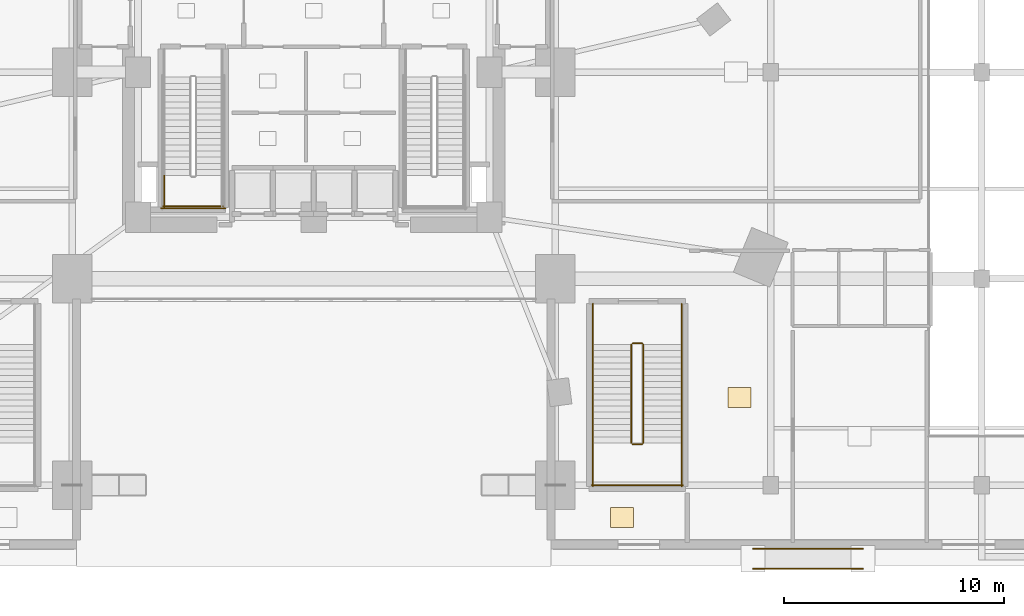
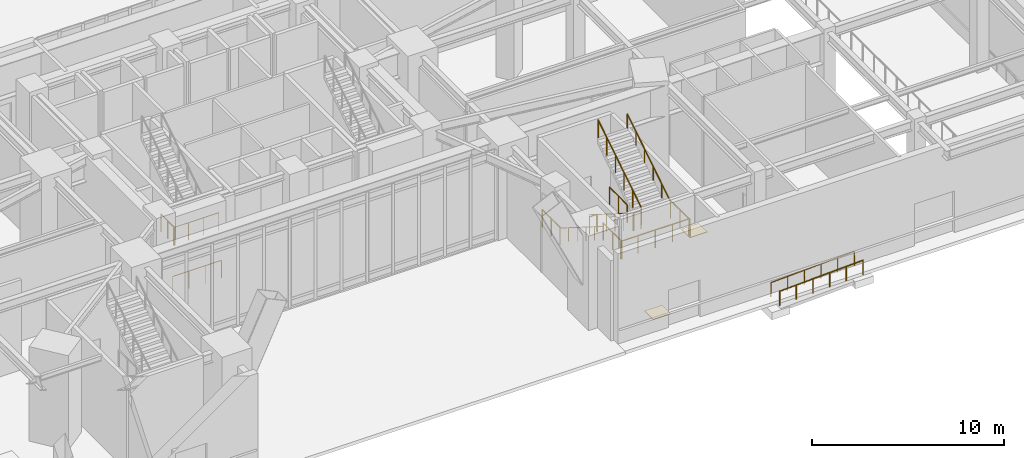
# One storey, part 24 of 27: 16 railings, 2 coverings.
"""IFC4 building model written with IfcOpenShell, lengths in metres."""

from ifc_helpers import new_model, si_unit, direction, frame, origin, origin_2d, place, context, subcontext, project, spatial, rectangle, circle, extrude, material, layer, layer_set, type_object, element, save


model = new_model("IFC4")

# Units and contexts
model_context = context("Model", 3, precision=1e-05, world=origin(), true_north=direction((0.0, 1.0)))
body_context = subcontext(model_context, "Body", "Model", "MODEL_VIEW")
ifc_project = project(units=[si_unit("LENGTHUNIT", "METRE"), si_unit("AREAUNIT", "SQUARE_METRE"), si_unit("VOLUMEUNIT", "CUBIC_METRE"), si_unit("PLANEANGLEUNIT", "RADIAN"), si_unit("MASSUNIT", "GRAM", prefix="KILO")], contexts=[model_context])

# Site, building, storey
site_placement = place(None, origin())
site = spatial("IfcSite", under=ifc_project, at=site_placement, CompositionType="ELEMENT")
building_placement = place(site_placement, origin())
building = spatial("IfcBuilding", under=site, at=building_placement, Name="Ndelora Gate Hotel", CompositionType="ELEMENT")
storey_placement = place(building_placement, origin())
storey = spatial("IfcBuildingStorey", under=building, at=storey_placement, Name="L00", CompositionType="ELEMENT", Elevation=0.0)

# Coverings
ifc_material_1 = material(Name="Engineered Highland Oak Parquet", Category="wood")
ifc_layer_1 = layer(ifc_material_1, 0.030029296875)
ifc_layer_set_1 = layer_set([ifc_layer_1], Name="Engineered Highland Oak Parquet")
covering_type = type_object("IfcCoveringType", Name="COV-FLR-PARQ", PredefinedType="FLOORING", material=ifc_layer_set_1)
for number, where, z_axis, x_axis, name in (
    (1, (19.375, -14.81005859375, 0.0), (0.0, 0.0, 1.0), (1.0, 0.0, 0.0), "L00 South-East Brasserie Salon Oak Parquet Flooring"),
    (2, (14.02490234375, -20.27490234375, 0.0), (0.0, 0.0, 1.0), (1.0, 0.0, 0.0), "L00 South-East Stair ST3B Exit Passage Oak Parquet Flooring"),
):
    element("IfcCovering", number, at=place(storey_placement, frame(where, z_axis=z_axis, x_axis=x_axis)), inside=storey, type_object=covering_type, Name=name, PredefinedType="FLOORING", context=body_context, shape_type="SweptSolid", body=[
        extrude(rectangle(XDim=1.050048828125, YDim=0.89990234375, at=origin_2d()), origin(), (0.0, 0.0, 1.0), 0.030029296875),
    ])

# Railings
ifc_material_2 = material(Name="Painted Galvanized Steel Balustrade", Category="steel")
ifc_layer_2 = layer(ifc_material_2, 0.06005859375)
ifc_layer_set_2 = layer_set([ifc_layer_2], Name="Painted Galvanized Steel Balustrade")
railing_type_1 = type_object("IfcRailingType", Name="RL-STAIR-GD", PredefinedType="GUARDRAIL", material=ifc_layer_set_2)
railing_1_placement = place(storey_placement, frame((-6.800048828125, -4.7099609375, 3.0)))
element("IfcRailing", 3, at=railing_1_placement, inside=storey, type_object=railing_type_1, Name="L00 ST4 stair guard 3", PredefinedType="GUARDRAIL", context=body_context, shape_type="SweptSolid", body=[
    extrude(circle(Radius=0.02392578125, at=origin_2d()), frame((0.0, 0.0, 1.10595703125), z_axis=(0.0, -1.0, 0.0), x_axis=(1.0, 0.0, 0.0)), (0.0, 0.0, 1.0), 1.43994140625),
    extrude(circle(Radius=0.02099609375, at=origin_2d()), origin(), (0.0, 0.0, 1.0), 1.081787109375),
    extrude(circle(Radius=0.02099609375, at=origin_2d()), frame((0.0, -0.719970703125, 0.0)), (0.0, 0.0, 1.0), 1.081787109375),
    extrude(circle(Radius=0.02099609375, at=origin_2d()), frame((0.0, -1.43994140625, 0.0)), (0.0, 0.0, 1.0), 1.081787109375),
])
railing_2_placement = place(storey_placement, frame((-6.85009765625, -6.10009765625, 3.0)))
element("IfcRailing", 4, at=railing_2_placement, inside=storey, type_object=railing_type_1, Name="L00 ST4 stair guard 5", PredefinedType="GUARDRAIL", context=body_context, shape_type="SweptSolid", body=[
    extrude(circle(Radius=0.02392578125, at=origin_2d()), frame((0.0, 0.0, 1.10595703125), z_axis=(1.0, 0.0, 0.0), x_axis=(0.0, 1.0, 0.0)), (0.0, 0.0, 1.0), 2.72021484375),
    extrude(circle(Radius=0.02099609375, at=origin_2d()), origin(), (0.0, 0.0, 1.0), 1.081787109375),
    extrude(circle(Radius=0.02099609375, at=origin_2d()), frame((0.90673828125, 0.0, 0.0)), (0.0, 0.0, 1.0), 1.081787109375),
    extrude(circle(Radius=0.02099609375, at=origin_2d()), frame((1.8134765625, 0.0, 0.0)), (0.0, 0.0, 1.0), 1.081787109375),
    extrude(circle(Radius=0.02099609375, at=origin_2d()), frame((2.72021484375, 0.0, 0.0)), (0.0, 0.0, 1.0), 1.081787109375),
])
railing_3_placement = place(storey_placement, frame((-6.949951171875, -6.199951171875, 0.0)))
element("IfcRailing", 5, at=railing_3_placement, inside=storey, type_object=railing_type_1, Name="L00 ST4 stair guard 12", PredefinedType="GUARDRAIL", context=body_context, shape_type="SweptSolid", body=[
    extrude(circle(Radius=0.02392578125, at=origin_2d()), frame((0.0, 0.0, 1.10595703125), z_axis=(1.0, 0.0, 0.0), x_axis=(0.0, 1.0, 0.0)), (0.0, 0.0, 1.0), 2.919921875),
    extrude(circle(Radius=0.02099609375, at=origin_2d()), origin(), (0.0, 0.0, 1.0), 1.081787109375),
    extrude(circle(Radius=0.02099609375, at=origin_2d()), frame((0.973388671875, 0.0, 0.0)), (0.0, 0.0, 1.0), 1.081787109375),
    extrude(circle(Radius=0.02099609375, at=origin_2d()), frame((1.946533203125, 0.0, 0.0)), (0.0, 0.0, 1.0), 1.081787109375),
    extrude(circle(Radius=0.02099609375, at=origin_2d()), frame((2.919921875, 0.0, 0.0)), (0.0, 0.0, 1.0), 1.081787109375),
])
railing_4_placement = place(storey_placement, frame((14.4599609375, -12.39990234375, 0.176513671875)))
element("IfcRailing", 6, at=railing_4_placement, inside=storey, type_object=railing_type_1, Name="L00 ST3B stair guard 1", PredefinedType="GUARDRAIL", context=body_context, shape_type="SweptSolid", body=[
    extrude(circle(Radius=0.02392578125, at=origin_2d()), frame((0.0, 0.0, 1.10595703125), z_axis=(0.0, -0.845997938375, 0.533186166611), x_axis=(1.0, 0.0, 0.0)), (0.0, 0.0, 1.0), 5.29541015625),
    extrude(circle(Radius=0.02099609375, at=origin_2d()), origin(), (0.0, 0.0, 1.0), 1.081787109375),
    extrude(circle(Radius=0.02099609375, at=origin_2d()), frame((0.0, -0.89599609375, 0.564697265625)), (0.0, 0.0, 1.0), 1.081787109375),
    extrude(circle(Radius=0.02099609375, at=origin_2d()), frame((0.0, -1.7919921875, 1.12939453125)), (0.0, 0.0, 1.0), 1.081787109375),
    extrude(circle(Radius=0.02099609375, at=origin_2d()), frame((0.0, -2.68798828125, 1.694091796875)), (0.0, 0.0, 1.0), 1.081787109375),
    extrude(circle(Radius=0.02099609375, at=origin_2d()), frame((0.0, -3.583984375, 2.2587890625)), (0.0, 0.0, 1.0), 1.081787109375),
    extrude(circle(Radius=0.02099609375, at=origin_2d()), frame((0.0, -4.47998046875, 2.823486328125)), (0.0, 0.0, 1.0), 1.081787109375),
])
railing_5_placement = place(storey_placement, frame((14.510009765625, -16.929931640625, 3.0)))
element("IfcRailing", 7, at=railing_5_placement, inside=storey, type_object=railing_type_1, Name="L00 ST3B stair guard 2", PredefinedType="GUARDRAIL", context=body_context, shape_type="SweptSolid", body=[
    extrude(circle(Radius=0.02392578125, at=origin_2d()), frame((0.0, 0.0, 1.10595703125), z_axis=(1.0, 0.0, 0.0), x_axis=(0.0, 1.0, 0.0)), (0.0, 0.0, 1.0), 0.43994140625),
    extrude(circle(Radius=0.02099609375, at=origin_2d()), origin(), (0.0, 0.0, 1.0), 1.081787109375),
    extrude(circle(Radius=0.02099609375, at=origin_2d()), frame((0.43994140625, 0.0, 0.0)), (0.0, 0.0, 1.0), 1.081787109375),
])
for number, where, name in (
    (8, (12.7099609375, -16.8798828125, 3.0), "L00 ST3B stair guard 3"),
    (9, (16.75, -16.8798828125, 3.0), "L00 ST3B stair guard 4"),
):
    element("IfcRailing", number, at=place(storey_placement, frame(where)), inside=storey, type_object=railing_type_1, Name=name, PredefinedType="GUARDRAIL", context=body_context, shape_type="SweptSolid", body=[
        extrude(circle(Radius=0.02392578125, at=origin_2d()), frame((0.0, 0.0, 1.10595703125), z_axis=(0.0, -1.0, 0.0), x_axis=(1.0, 0.0, 0.0)), (0.0, 0.0, 1.0), 1.97021484375),
        extrude(circle(Radius=0.02099609375, at=origin_2d()), origin(), (0.0, 0.0, 1.0), 1.081787109375),
        extrude(circle(Radius=0.02099609375, at=origin_2d()), frame((0.0, -0.985107421875, 0.0)), (0.0, 0.0, 1.0), 1.081787109375),
        extrude(circle(Radius=0.02099609375, at=origin_2d()), frame((0.0, -1.97021484375, 0.0)), (0.0, 0.0, 1.0), 1.081787109375),
    ])
railing_6_placement = place(storey_placement, frame((12.659912109375, -18.800048828125, 3.0)))
element("IfcRailing", 10, at=railing_6_placement, inside=storey, type_object=railing_type_1, Name="L00 ST3B stair guard 5", PredefinedType="GUARDRAIL", context=body_context, shape_type="SweptSolid", body=[
    extrude(circle(Radius=0.02392578125, at=origin_2d()), frame((0.0, 0.0, 1.10595703125), z_axis=(1.0, 0.0, 0.0), x_axis=(0.0, 1.0, 0.0)), (0.0, 0.0, 1.0), 4.14013671875),
    extrude(circle(Radius=0.02099609375, at=origin_2d()), origin(), (0.0, 0.0, 1.0), 1.081787109375),
    extrude(circle(Radius=0.02099609375, at=origin_2d()), frame((1.03515625, 0.0, 0.0)), (0.0, 0.0, 1.0), 1.081787109375),
    extrude(circle(Radius=0.02099609375, at=origin_2d()), frame((2.070068359375, 0.0, 0.0)), (0.0, 0.0, 1.0), 1.081787109375),
    extrude(circle(Radius=0.02099609375, at=origin_2d()), frame((3.10498046875, 0.0, 0.0)), (0.0, 0.0, 1.0), 1.081787109375),
    extrude(circle(Radius=0.02099609375, at=origin_2d()), frame((4.14013671875, 0.0, 0.0)), (0.0, 0.0, 1.0), 1.081787109375),
])
railing_7_placement = place(storey_placement, frame((15.0, -16.8798828125, 3.176513671875)))
element("IfcRailing", 11, at=railing_7_placement, inside=storey, type_object=railing_type_1, Name="L00 ST3B stair guard 6", PredefinedType="GUARDRAIL", context=body_context, shape_type="SweptSolid", body=[
    extrude(circle(Radius=0.02392578125, at=origin_2d()), frame((0.0, 0.0, 1.10595703125), z_axis=(0.0, 0.845997938375, 0.533186166611), x_axis=(-1.0, 0.0, 0.0)), (0.0, 0.0, 1.0), 5.29541015625),
    extrude(circle(Radius=0.02099609375, at=origin_2d()), origin(), (0.0, 0.0, 1.0), 1.081787109375),
    extrude(circle(Radius=0.02099609375, at=origin_2d()), frame((0.0, 0.89599609375, 0.564697265625)), (0.0, 0.0, 1.0), 1.081787109375),
    extrude(circle(Radius=0.02099609375, at=origin_2d()), frame((0.0, 1.7919921875, 1.12939453125)), (0.0, 0.0, 1.0), 1.081787109375),
    extrude(circle(Radius=0.02099609375, at=origin_2d()), frame((0.0, 2.68798828125, 1.694091796875)), (0.0, 0.0, 1.0), 1.081787109375),
    extrude(circle(Radius=0.02099609375, at=origin_2d()), frame((0.0, 3.583984375, 2.2587890625)), (0.0, 0.0, 1.0), 1.081787109375),
    extrude(circle(Radius=0.02099609375, at=origin_2d()), frame((0.0, 4.47998046875, 2.823486328125)), (0.0, 0.0, 1.0), 1.081787109375),
])
railing_8_placement = place(storey_placement, frame((14.510009765625, -12.35009765625, 0.0)))
element("IfcRailing", 12, at=railing_8_placement, inside=storey, type_object=railing_type_1, Name="L00 ST3B stair guard 7", PredefinedType="GUARDRAIL", context=body_context, shape_type="SweptSolid", body=[
    extrude(circle(Radius=0.02392578125, at=origin_2d()), frame((0.0, 0.0, 1.10595703125), z_axis=(1.0, 0.0, 0.0), x_axis=(0.0, 1.0, 0.0)), (0.0, 0.0, 1.0), 0.43994140625),
    extrude(circle(Radius=0.02099609375, at=origin_2d()), origin(), (0.0, 0.0, 1.0), 1.081787109375),
    extrude(circle(Radius=0.02099609375, at=origin_2d()), frame((0.43994140625, 0.0, 0.0)), (0.0, 0.0, 1.0), 1.081787109375),
])
for number, where, name in (
    (13, (12.7099609375, -10.550048828125, 0.0), "L00 ST3B stair guard 8"),
    (14, (16.75, -10.550048828125, 0.0), "L00 ST3B stair guard 9"),
):
    element("IfcRailing", number, at=place(storey_placement, frame(where)), inside=storey, type_object=railing_type_1, Name=name, PredefinedType="GUARDRAIL", context=body_context, shape_type="SweptSolid", body=[
        extrude(circle(Radius=0.02392578125, at=origin_2d()), frame((0.0, 0.0, 1.10595703125), z_axis=(0.0, -1.0, 0.0), x_axis=(1.0, 0.0, 0.0)), (0.0, 0.0, 1.0), 1.849853515625),
        extrude(circle(Radius=0.02099609375, at=origin_2d()), origin(), (0.0, 0.0, 1.0), 1.081787109375),
        extrude(circle(Radius=0.02099609375, at=origin_2d()), frame((0.0, -0.9248046875, 0.0)), (0.0, 0.0, 1.0), 1.081787109375),
        extrude(circle(Radius=0.02099609375, at=origin_2d()), frame((0.0, -1.849853515625, 0.0)), (0.0, 0.0, 1.0), 1.081787109375),
    ])
ifc_material_3 = material(Name="Brushed Stainless Steel 316", Category="steel")
ifc_layer_3 = layer(ifc_material_3, 0.050048828125)
ifc_layer_set_3 = layer_set([ifc_layer_3], Name="Brushed Stainless Steel 316")
railing_type_2 = type_object("IfcRailingType", Name="RL-STAIR-HR", PredefinedType="HANDRAIL", material=ifc_layer_set_3)
railing_9_placement = place(storey_placement, frame((12.7099609375, -12.39990234375, 0.176513671875)))
element("IfcRailing", 15, at=railing_9_placement, inside=storey, type_object=railing_type_2, Name="L00 ST3B stair handrail 1", PredefinedType="HANDRAIL", context=body_context, shape_type="SweptSolid", body=[
    extrude(circle(Radius=0.02392578125, at=origin_2d()), frame((0.0, 0.0, 0.8759765625), z_axis=(0.0, -0.845997938375, 0.533186166611), x_axis=(1.0, 0.0, 0.0)), (0.0, 0.0, 1.0), 5.29541015625),
    extrude(circle(Radius=0.02099609375, at=origin_2d()), origin(), (0.0, 0.0, 1.0), 0.851806640625),
    extrude(circle(Radius=0.02099609375, at=origin_2d()), frame((0.0, -0.89599609375, 0.564697265625)), (0.0, 0.0, 1.0), 0.851806640625),
    extrude(circle(Radius=0.02099609375, at=origin_2d()), frame((0.0, -1.7919921875, 1.12939453125)), (0.0, 0.0, 1.0), 0.851806640625),
    extrude(circle(Radius=0.02099609375, at=origin_2d()), frame((0.0, -2.68798828125, 1.694091796875)), (0.0, 0.0, 1.0), 0.851806640625),
    extrude(circle(Radius=0.02099609375, at=origin_2d()), frame((0.0, -3.583984375, 2.2587890625)), (0.0, 0.0, 1.0), 0.851806640625),
    extrude(circle(Radius=0.02099609375, at=origin_2d()), frame((0.0, -4.47998046875, 2.823486328125)), (0.0, 0.0, 1.0), 0.851806640625),
])
railing_10_placement = place(storey_placement, frame((16.75, -16.8798828125, 3.176513671875)))
element("IfcRailing", 16, at=railing_10_placement, inside=storey, type_object=railing_type_2, Name="L00 ST3B stair handrail 2", PredefinedType="HANDRAIL", context=body_context, shape_type="SweptSolid", body=[
    extrude(circle(Radius=0.02392578125, at=origin_2d()), frame((0.0, 0.0, 0.8759765625), z_axis=(0.0, 0.845997938375, 0.533186166611), x_axis=(-1.0, 0.0, 0.0)), (0.0, 0.0, 1.0), 5.29541015625),
    extrude(circle(Radius=0.02099609375, at=origin_2d()), origin(), (0.0, 0.0, 1.0), 0.851806640625),
    extrude(circle(Radius=0.02099609375, at=origin_2d()), frame((0.0, 0.89599609375, 0.564697265625)), (0.0, 0.0, 1.0), 0.851806640625),
    extrude(circle(Radius=0.02099609375, at=origin_2d()), frame((0.0, 1.7919921875, 1.12939453125)), (0.0, 0.0, 1.0), 0.851806640625),
    extrude(circle(Radius=0.02099609375, at=origin_2d()), frame((0.0, 2.68798828125, 1.694091796875)), (0.0, 0.0, 1.0), 0.851806640625),
    extrude(circle(Radius=0.02099609375, at=origin_2d()), frame((0.0, 3.583984375, 2.2587890625)), (0.0, 0.0, 1.0), 0.851806640625),
    extrude(circle(Radius=0.02099609375, at=origin_2d()), frame((0.0, 4.47998046875, 2.823486328125)), (0.0, 0.0, 1.0), 0.851806640625),
])
for number, where, name in (
    (17, (20.0, -22.610107421875, -0.2099609375), "L00 Accessible Ramp R9 Handrail L"),
    (18, (20.0, -21.68994140625, -0.2099609375), "L00 Accessible Ramp R9 Handrail R"),
):
    element("IfcRailing", number, at=place(storey_placement, frame(where)), inside=storey, type_object=railing_type_2, Name=name, PredefinedType="HANDRAIL", context=body_context, shape_type="SweptSolid", body=[
        extrude(circle(Radius=0.02392578125, at=origin_2d()), frame((0.0, 0.0, 0.89599609375), z_axis=(0.999119492402, 0.0, 0.04195521306), x_axis=(0.0, 1.0, 0.0)), (0.0, 0.0, 1.0), 5.00439453125),
        extrude(circle(Radius=0.02099609375, at=origin_2d()), origin(), (0.0, 0.0, 1.0), 0.871826171875),
        extrude(circle(Radius=0.02099609375, at=origin_2d()), frame((1.0, 0.0, 0.0419921875)), (0.0, 0.0, 1.0), 0.871826171875),
        extrude(circle(Radius=0.02099609375, at=origin_2d()), frame((2.0, 0.0, 0.083984375)), (0.0, 0.0, 1.0), 0.871826171875),
        extrude(circle(Radius=0.02099609375, at=origin_2d()), frame((3.0, 0.0, 0.1259765625)), (0.0, 0.0, 1.0), 0.871826171875),
        extrude(circle(Radius=0.02099609375, at=origin_2d()), frame((4.0, 0.0, 0.16796875)), (0.0, 0.0, 1.0), 0.871826171875),
        extrude(circle(Radius=0.02099609375, at=origin_2d()), frame((5.0, 0.0, 0.2099609375)), (0.0, 0.0, 1.0), 0.871826171875),
    ])

save(model, "model.ifc")
